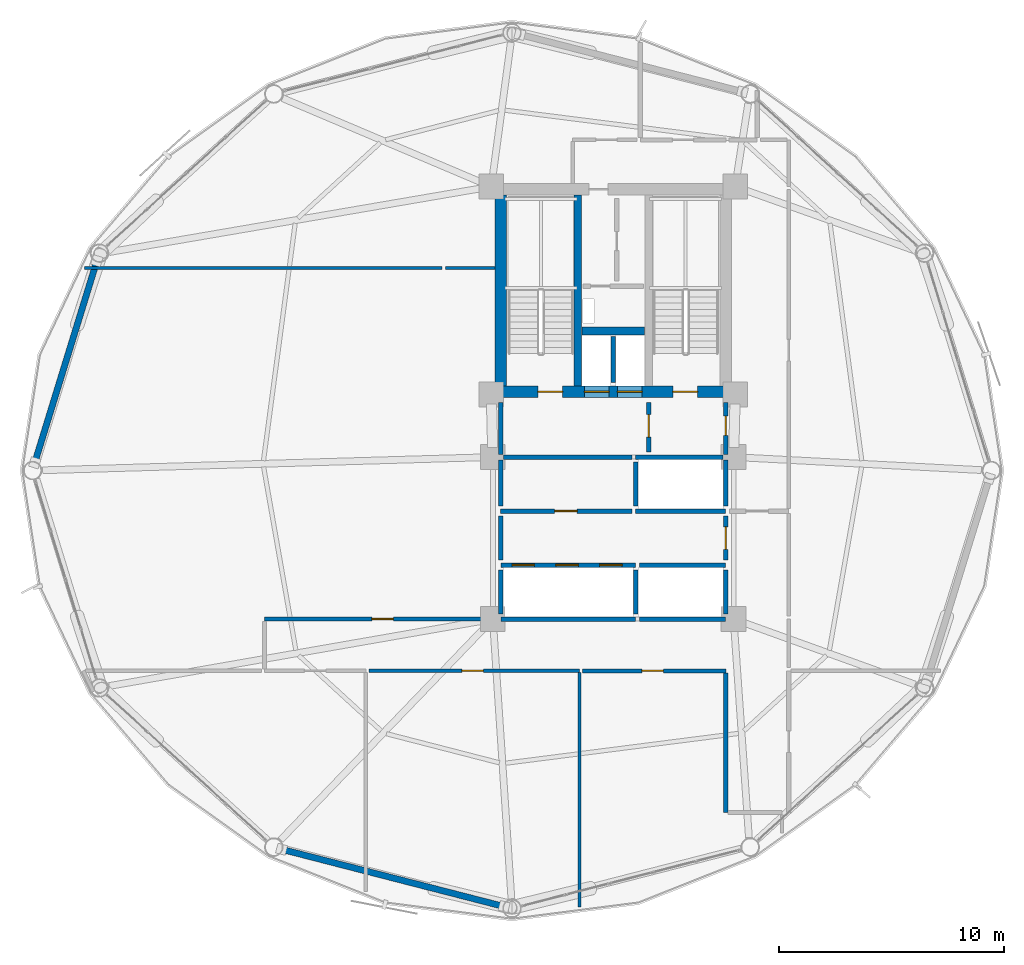
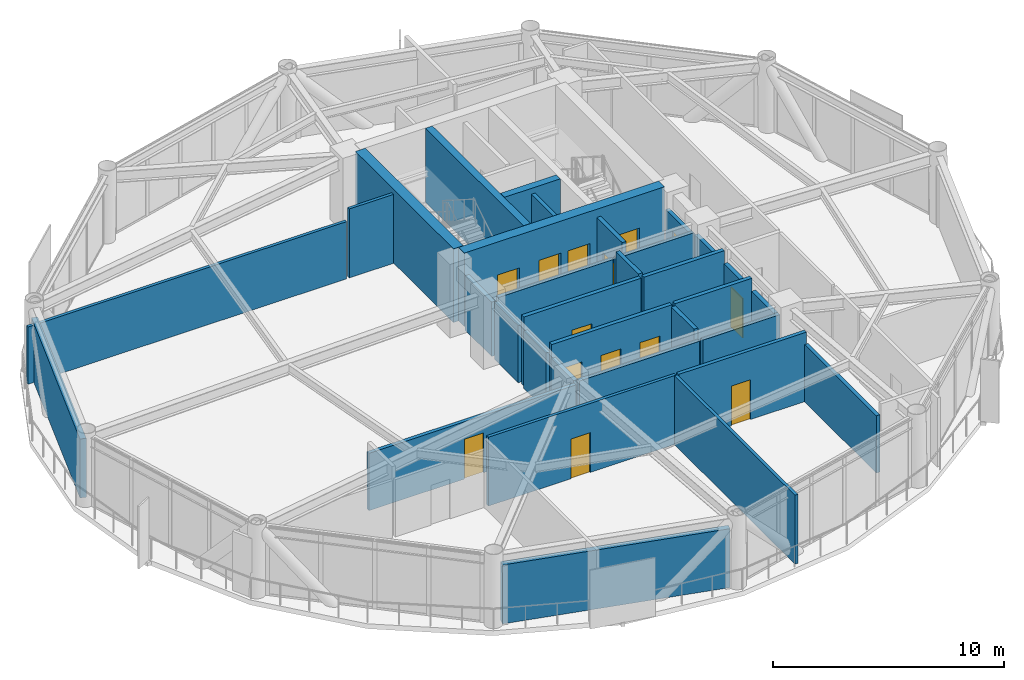
# One storey, part 20 of 24: 33 walls, 14 doors, 14 openings.
"""IFC4 building model written with IfcOpenShell, lengths in metres."""

import ifcopenshell
import ifcopenshell.guid

model = None  # the IFC model being written
_history = None  # IfcOwnerHistory: only IFC2X3 demands one
_inside = {}  # id of a spatial element -> (the spatial element, [elements in it])
_under = {}  # id of a project, library or spatial element -> (it, [spatial elements below it])
_declared = {}  # id of a project -> (the project, [libraries it declares])
_typed = {}  # id of a type object -> (the type object, [elements of that type])
_made_of = {}  # id of a material, layer set ... -> (it, [elements and type objects made of it])


def new_model(schema):
    """Start an empty IFC model of exactly this schema.

    Asked for "IFC4X3", IfcOpenShell would pick the latest addendum, in which some entities
    have other attributes; the version numbers below select the first issue.
    IFC2X3 requires an IfcOwnerHistory on every rooted entity: one is made here for all.
    """
    global model, _history
    if schema == "IFC4X3":
        model = ifcopenshell.file(schema_version=(4, 3, 0, 0))
    else:
        model = ifcopenshell.file(schema=schema)
    _inside.clear()
    _under.clear()
    _declared.clear()
    _typed.clear()
    _made_of.clear()
    _history = None
    if model.schema == "IFC2X3":
        org = make("IfcOrganization", Name="unknown")
        user = make(
            "IfcPersonAndOrganization",
            ThePerson=make("IfcPerson", FamilyName="unknown"),
            TheOrganization=org,
        )
        app = make(
            "IfcApplication",
            ApplicationDeveloper=org,
            Version="unknown",
            ApplicationFullName="unknown",
            ApplicationIdentifier="unknown",
        )
        _history = make(
            "IfcOwnerHistory",
            OwningUser=user,
            OwningApplication=app,
            ChangeAction="ADDED",
            CreationDate=0,
        )
    return model


def make(cls, **values):
    """One entity of the class cls with the attributes given. An attribute that is None is left unset."""
    return model.create_entity(
        cls, **{name: value for name, value in values.items() if value is not None}
    )


def rooted(cls, **values):
    """An entity with a GlobalId (a new one), such as an element, a storey or a relation."""
    return make(cls, GlobalId=ifcopenshell.guid.new(), OwnerHistory=_history, **values)


def si_unit(unit_type, name, prefix=None):
    """IfcSIUnit, for example si_unit("LENGTHUNIT", "METRE", prefix="MILLI")."""
    return make("IfcSIUnit", UnitType=unit_type, Prefix=prefix, Name=name)


def assignment(units):
    """IfcUnitAssignment: the units of a project."""
    return None if units is None else make("IfcUnitAssignment", Units=units)


def point(xyz):
    """IfcCartesianPoint."""
    return None if xyz is None else make("IfcCartesianPoint", Coordinates=xyz)


def direction(xyz):
    """IfcDirection."""
    return None if xyz is None else make("IfcDirection", DirectionRatios=xyz)


def frame(location, z_axis=None, x_axis=None):
    """IfcAxis2Placement3D, a coordinate frame: its origin and axes. An axis left out is left unset."""
    return make(
        "IfcAxis2Placement3D",
        Location=point(location),
        Axis=direction(z_axis),
        RefDirection=direction(x_axis),
    )


def frame_2d(location, x_axis=None):
    """IfcAxis2Placement2D, a coordinate frame in the plane: its origin and x axis."""
    return make(
        "IfcAxis2Placement2D", Location=point(location), RefDirection=direction(x_axis)
    )


def origin():
    """The frame at (0, 0, 0) with its axes left unset."""
    return frame((0.0, 0.0, 0.0))


def place(relative_to, where):
    """IfcLocalPlacement: puts the frame where relative to a parent placement (None: the world)."""
    return make(
        "IfcLocalPlacement", PlacementRelTo=relative_to, RelativePlacement=where
    )


def context(
    kind, dimensions, precision=None, world=None, true_north=None, identifier=None
):
    """IfcGeometricRepresentationContext, for example the 3D "Model" context."""
    return make(
        "IfcGeometricRepresentationContext",
        ContextIdentifier=identifier,
        ContextType=kind,
        CoordinateSpaceDimension=dimensions,
        Precision=precision,
        WorldCoordinateSystem=world,
        TrueNorth=true_north,
    )


def subcontext(parent, identifier, kind, view, scale=None):
    """IfcGeometricRepresentationSubContext, for example "Body" below "Model"."""
    return make(
        "IfcGeometricRepresentationSubContext",
        ContextIdentifier=identifier,
        ContextType=kind,
        ParentContext=parent,
        TargetScale=scale,
        TargetView=view,
    )


def project(units=None, contexts=None):
    """IfcProject with its units and contexts."""
    return rooted(
        "IfcProject",
        Name="project",
        RepresentationContexts=contexts,
        UnitsInContext=assignment(units),
    )


def spatial(cls, under=None, at=None, **own):
    """A site, building, storey or space (cls), placed at a placement, below another one or the project."""
    s = rooted(cls, ObjectPlacement=at, **own)
    if under is not None:
        _under.setdefault(under.id(), (under, []))[1].append(s)
    return s


def profile(cls, at=None, kind="AREA", **sizes):
    """A parametric profile (cls). Its sizes go by their IFC names, for example OverallWidth=200.0."""
    return make(cls, ProfileType=kind, Position=at, **sizes)


def rectangle(**sizes):
    """IfcRectangleProfileDef."""
    return profile("IfcRectangleProfileDef", **sizes)


def extrude(swept, where, along, depth):
    """IfcExtrudedAreaSolid: the profile swept, set in the frame where, extruded along a direction by depth."""
    return make(
        "IfcExtrudedAreaSolid",
        SweptArea=swept,
        Position=where,
        ExtrudedDirection=direction(along),
        Depth=depth,
    )


def shape(context_of_items, identifier, shape_type, items):
    """IfcShapeRepresentation: the items that make up one representation, for example the "Body"."""
    return make(
        "IfcShapeRepresentation",
        ContextOfItems=context_of_items,
        RepresentationIdentifier=identifier,
        RepresentationType=shape_type,
        Items=items,
    )


def material(Name=None, Category=None):
    """IfcMaterial."""
    return make("IfcMaterial", Name=Name, Category=Category)


def layer(
    of_material, thickness, ventilated=None, Name=None, Category=None, Priority=None
):
    """IfcMaterialLayer: one layer of a wall or slab, of a material (None: an air gap)."""
    return make(
        "IfcMaterialLayer",
        Material=of_material,
        LayerThickness=thickness,
        IsVentilated=ventilated,
        Name=Name,
        Category=Category,
        Priority=Priority,
    )


def layer_set(layers, Name=None):
    """IfcMaterialLayerSet."""
    return make("IfcMaterialLayerSet", MaterialLayers=layers, LayerSetName=Name)


def made_of(thing, what):
    """Note that an element or type object is made of a material, layer set ...; save() writes the relation."""
    if what is not None:
        _made_of.setdefault(what.id(), (what, []))[1].append(thing)
    return thing


def type_object(cls, material=None, **own):
    """A type object (cls), such as IfcWallType, which elements share."""
    return made_of(rooted(cls, **own), material)


def element(
    cls,
    number,
    at=None,
    inside=None,
    cuts=None,
    type_object=None,
    material=None,
    context=None,
    identifier="Body",
    shape_type=None,
    held_by="IfcProductDefinitionShape",
    body=None,
    shapes=None,
    **own,
):
    """One element of the class cls, such as IfcWall. Its Tag is "e" and its number.

    at: its placement. inside: the storey or other place that contains it. cuts: it is an
    opening in that element (IfcRelVoidsElement). A single representation is given by context,
    identifier, shape_type and body (its items); several are given by shapes. held_by: the class
    of the entity that holds the representations. save() writes the other relations.
    """
    e = rooted(cls, Tag="e%d" % number, ObjectPlacement=at, **own)
    if body is not None:
        shapes = [shape(context, identifier, shape_type, body)]
    if shapes is not None:
        e.Representation = make(held_by, Representations=shapes)
    if inside is not None:
        _inside.setdefault(inside.id(), (inside, []))[1].append(e)
    if cuts is not None:
        rooted(
            "IfcRelVoidsElement", RelatingBuildingElement=cuts, RelatedOpeningElement=e
        )
    if type_object is not None:
        _typed.setdefault(type_object.id(), (type_object, []))[1].append(e)
    return made_of(e, material)


def fill(opening, filler):
    """IfcRelFillsElement: the door or window that sits in an opening."""
    return rooted(
        "IfcRelFillsElement",
        RelatingOpeningElement=opening,
        RelatedBuildingElement=filler,
    )


def aggregate(whole, parts):
    """IfcRelAggregates: a whole, such as a stair, and the parts it consists of."""
    return rooted("IfcRelAggregates", RelatingObject=whole, RelatedObjects=parts)


def save(model, path):
    """Write the relations noted so far, then the file.

    IfcRelAggregates (storeys below a building ...), IfcRelContainedInSpatialStructure (elements
    in a storey), IfcRelDefinesByType, IfcRelAssociatesMaterial and IfcRelDeclares: one each for
    every whole, place, type object, material and project.
    """
    for whole, parts in _under.values():
        aggregate(whole, parts)
    for where, things in _inside.values():
        rooted(
            "IfcRelContainedInSpatialStructure",
            RelatedElements=things,
            RelatingStructure=where,
        )
    for kind, things in _typed.values():
        rooted("IfcRelDefinesByType", RelatedObjects=things, RelatingType=kind)
    for what, things in _made_of.values():
        rooted("IfcRelAssociatesMaterial", RelatedObjects=things, RelatingMaterial=what)
    for by, libraries in _declared.values():
        rooted("IfcRelDeclares", RelatingContext=by, RelatedDefinitions=libraries)
    model.write(path)


model = new_model("IFC4")

# Units and contexts
model_context = context("Model", 3, precision=1e-05, world=origin(), true_north=direction((0.0, 1.0)))
body_context = subcontext(model_context, "Body", "Model", "MODEL_VIEW")
ifc_project = project(units=[si_unit("LENGTHUNIT", "METRE"), si_unit("AREAUNIT", "SQUARE_METRE"), si_unit("VOLUMEUNIT", "CUBIC_METRE"), si_unit("PLANEANGLEUNIT", "RADIAN"), si_unit("MASSUNIT", "GRAM", prefix="KILO")], contexts=[model_context])

# Site, building, storey
site_placement = place(None, origin())
site = spatial("IfcSite", under=ifc_project, at=site_placement, CompositionType="ELEMENT")
building_placement = place(site_placement, origin())
building = spatial("IfcBuilding", under=site, at=building_placement, Name="Varnakorn Sky Granary", CompositionType="ELEMENT")
storey_placement = place(building_placement, frame((0.0, 0.0, 118.800048828125)))
storey = spatial("IfcBuildingStorey", under=building, at=storey_placement, Name="L29", CompositionType="ELEMENT", Elevation=118.800048828125)

# Walls
ifc_material_1 = material(Name="Concrete C50/60", Category="concrete")
ifc_layer_1 = layer(ifc_material_1, 0.35009765625, Name="Concrete C50/60")
ifc_layer_set_1 = layer_set([ifc_layer_1], Name="Concrete C50/60")
wall_type_1 = type_object("IfcWallType", Name="WT-CW-INT-350", PredefinedType="SHEAR", material=ifc_layer_set_1)
wall_1_placement = place(storey_placement, frame((1.419921875, 3.760009765625, 0.0), z_axis=(0.0, 0.0, 1.0), x_axis=(0.0, 1.0, 0.0)))
element("IfcWall", 1, at=wall_1_placement, inside=storey, type_object=wall_type_1, Name="Stair ST-1 Core Wall L29", PredefinedType="SHEAR", context=body_context, shape_type="SweptSolid", body=[
    extrude(rectangle(XDim=8.47998046875, YDim=0.35009765625, at=frame_2d((4.239990234375, 0.0))), origin(), (0.0, 0.0, 1.0), 3.891845703125),
])
wall_2_placement = place(storey_placement, frame((1.610107421875, 6.199951171875, 0.0), z_axis=(0.0, 0.0, 1.0), x_axis=(1.0, 0.0, 0.0)))
element("IfcWall", 2, at=wall_2_placement, inside=storey, type_object=wall_type_1, Name="Core Lift Shaft Cross Wall L29", PredefinedType="SHEAR", context=body_context, shape_type="SweptSolid", body=[
    extrude(rectangle(XDim=2.77978515625, YDim=0.35009765625, at=frame_2d((1.389892578125, 0.0))), origin(), (0.0, 0.0, 1.0), 3.891845703125),
])

# Wall, openings, doors
ifc_material_2 = material(Name="Concrete C60/75", Category="concrete")
ifc_layer_2 = layer(ifc_material_2, 0.5, Name="Concrete C60/75")
ifc_layer_set_2 = layer_set([ifc_layer_2], Name="Concrete C60/75")
wall_type_2 = type_object("IfcWallType", Name="WT-CW-SHEAR-500", PredefinedType="SHEAR", material=ifc_layer_set_2)
wall_3_placement = place(storey_placement, frame((-2.0, 3.5, 0.0), z_axis=(0.0, 0.0, 1.0), x_axis=(1.0, 0.0, 0.0)))
wall_3 = element("IfcWall", 3, at=wall_3_placement, inside=storey, type_object=wall_type_2, Name="Core South Shear Wall L29", PredefinedType="SHEAR", context=body_context, shape_type="SweptSolid", body=[
    extrude(rectangle(XDim=10.0, YDim=0.5, at=frame_2d((5.0, 0.0))), origin(), (0.0, 0.0, 1.0), 3.891845703125),
])
opening_1_placement = place(wall_3_placement, frame((1.64990234375, 0.0, 0.0)))
opening_1 = element("IfcOpeningElement", 4, at=opening_1_placement, cuts=wall_3, Name="Opening FD-90", PredefinedType="OPENING", context=body_context, shape_type="SweptSolid", body=[
    extrude(rectangle(XDim=1.10009765625, YDim=2.14990234375, at=frame_2d((0.550048828125, 1.074951171875))), frame((0.0, 0.260009765625, 0.0), z_axis=(0.0, -1.0, 0.0), x_axis=(1.0, 0.0, 0.0)), (0.0, 0.0, 1.0), 0.52001953125),
])
opening_2_placement = place(wall_3_placement, frame((7.64990234375, 0.0, 0.0)))
opening_2 = element("IfcOpeningElement", 5, at=opening_2_placement, cuts=wall_3, Name="Opening FD-90", PredefinedType="OPENING", context=body_context, shape_type="SweptSolid", body=[
    extrude(rectangle(XDim=1.10009765625, YDim=2.14990234375, at=frame_2d((0.550048828125, 1.074951171875))), frame((0.0, 0.260009765625, 0.0), z_axis=(0.0, -1.0, 0.0), x_axis=(1.0, 0.0, 0.0)), (0.0, 0.0, 1.0), 0.52001953125),
])
opening_3_placement = place(wall_3_placement, frame((3.719970703125, 0.0, 0.0)))
opening_3 = element("IfcOpeningElement", 6, at=opening_3_placement, cuts=wall_3, Name="Opening LD-01", PredefinedType="OPENING", context=body_context, shape_type="SweptSolid", body=[
    extrude(rectangle(XDim=1.10009765625, YDim=2.199951171875, at=frame_2d((0.550048828125, 1.10009765625))), frame((0.0, 0.260009765625, 0.0), z_axis=(0.0, -1.0, 0.0), x_axis=(1.0, 0.0, 0.0)), (0.0, 0.0, 1.0), 0.52001953125),
])
opening_4_placement = place(wall_3_placement, frame((5.179931640625, 0.0, 0.0)))
opening_4 = element("IfcOpeningElement", 7, at=opening_4_placement, cuts=wall_3, Name="Opening LD-01", PredefinedType="OPENING", context=body_context, shape_type="SweptSolid", body=[
    extrude(rectangle(XDim=1.10009765625, YDim=2.199951171875, at=frame_2d((0.550048828125, 1.10009765625))), frame((0.0, 0.260009765625, 0.0), z_axis=(0.0, -1.0, 0.0), x_axis=(1.0, 0.0, 0.0)), (0.0, 0.0, 1.0), 0.52001953125),
])
ifc_material_3 = material(Name="Brushed Bronze Stainless Steel", Category="steel")
door_type_1 = type_object("IfcDoorType", Name="DR-LD-1100", OperationType="DOUBLE_DOOR_SLIDING", PredefinedType="DOOR", material=ifc_material_3)
door_1_placement = place(opening_3_placement, origin())
door_1 = element("IfcDoor", 8, at=door_1_placement, inside=storey, type_object=door_type_1, Name="Firefighting Lift FFL-1 Landing Door L29", OperationType="DOUBLE_DOOR_SLIDING", OverallHeight=2.199951171875, OverallWidth=1.10009765625, PredefinedType="DOOR", context=body_context, shape_type="SweptSolid", body=[
    extrude(rectangle(XDim=1.10009765625, YDim=2.199951171875, at=frame_2d((0.550048828125, 1.10009765625))), frame((0.0, 0.02490234375, 0.0), z_axis=(0.0, -1.0, 0.0), x_axis=(1.0, 0.0, 0.0)), (0.0, 0.0, 1.0), 0.050048828125),
])
fill(opening_3, door_1)
door_2_placement = place(opening_4_placement, origin())
door_2 = element("IfcDoor", 9, at=door_2_placement, inside=storey, type_object=door_type_1, Name="Firefighting Lift FFL-2 Landing Door L29", OperationType="DOUBLE_DOOR_SLIDING", OverallHeight=2.199951171875, OverallWidth=1.10009765625, PredefinedType="DOOR", context=body_context, shape_type="SweptSolid", body=[
    extrude(rectangle(XDim=1.10009765625, YDim=2.199951171875, at=frame_2d((0.550048828125, 1.10009765625))), frame((0.0, 0.02490234375, 0.0), z_axis=(0.0, -1.0, 0.0), x_axis=(1.0, 0.0, 0.0)), (0.0, 0.0, 1.0), 0.050048828125),
])
fill(opening_4, door_2)
ifc_material_4 = material(Name="Galvanised Painted Steel Leaf", Category="steel")
door_type_2 = type_object("IfcDoorType", Name="DR-STAIR-1100", OperationType="NOTDEFINED", PredefinedType="DOOR", material=ifc_material_4)
door_3_placement = place(opening_1_placement, origin())
door_3 = element("IfcDoor", 10, at=door_3_placement, inside=storey, type_object=door_type_2, Name="Stair ST-1 Protected Fire Door L29", OperationType="SINGLE_SWING_LEFT", OverallHeight=2.14990234375, OverallWidth=1.10009765625, PredefinedType="DOOR", context=body_context, shape_type="SweptSolid", body=[
    extrude(rectangle(XDim=1.10009765625, YDim=2.14990234375, at=frame_2d((0.550048828125, 1.074951171875))), frame((0.0, 0.02490234375, 0.0), z_axis=(0.0, -1.0, 0.0), x_axis=(1.0, 0.0, 0.0)), (0.0, 0.0, 1.0), 0.050048828125),
])
fill(opening_1, door_3)
door_4_placement = place(opening_2_placement, origin())
door_4 = element("IfcDoor", 11, at=door_4_placement, inside=storey, type_object=door_type_2, Name="Stair ST-2 Protected Fire Door L29", OperationType="SINGLE_SWING_RIGHT", OverallHeight=2.14990234375, OverallWidth=1.10009765625, PredefinedType="DOOR", context=body_context, shape_type="SweptSolid", body=[
    extrude(rectangle(XDim=1.10009765625, YDim=2.14990234375, at=frame_2d((0.550048828125, 1.074951171875))), frame((0.0, 0.02490234375, 0.0), z_axis=(0.0, -1.0, 0.0), x_axis=(1.0, 0.0, 0.0)), (0.0, 0.0, 1.0), 0.050048828125),
])
fill(opening_2, door_4)

# Walls
wall_4_placement = place(storey_placement, frame((-2.0, 3.760009765625, 0.0), z_axis=(0.0, 0.0, 1.0), x_axis=(0.0, 1.0, 0.0)))
element("IfcWall", 12, at=wall_4_placement, inside=storey, type_object=wall_type_2, Name="Core West Shear Wall L29", PredefinedType="SHEAR", context=body_context, shape_type="SweptSolid", body=[
    extrude(rectangle(XDim=8.47998046875, YDim=0.5, at=frame_2d((4.239990234375, 0.0))), origin(), (0.0, 0.0, 1.0), 3.891845703125),
])
ifc_material_5 = material(Name="Precast concrete C40/50", Category="concrete")
ifc_layer_3 = layer(ifc_material_5, 0.280029296875, Name="Precast concrete C40/50")
ifc_layer_set_3 = layer_set([ifc_layer_3], Name="Precast concrete C40/50")
wall_type_3 = type_object("IfcWallType", Name="WT-EW-CRN-280", PredefinedType="SOLIDWALL", material=ifc_layer_set_3)
wall_5_placement = place(storey_placement, frame((-22.710693359375, 0.345458984375, 0.0), z_axis=(0.0, 0.0, 1.0), x_axis=(0.293928735114, 0.955827337271, 0.0)))
element("IfcWall", 13, at=wall_5_placement, inside=storey, type_object=wall_type_3, Name="Agritech Insulated Precast Facade Wall L29-P06", PredefinedType="SOLIDWALL", context=body_context, shape_type="SweptSolid", body=[
    extrude(rectangle(XDim=9.390869140625, YDim=0.280029296875, at=frame_2d((4.6953125, 0.0))), origin(), (0.0, 0.0, 1.0), 3.10986328125),
])
wall_6_placement = place(storey_placement, frame((-1.85009765625, -19.37890625, 0.0), z_axis=(0.0, 0.0, 1.0), x_axis=(-0.968450417212, 0.249206318945, 0.0)))
element("IfcWall", 14, at=wall_6_placement, inside=storey, type_object=wall_type_3, Name="Agritech Insulated Precast Facade Wall L29-P09", PredefinedType="SOLIDWALL", context=body_context, shape_type="SweptSolid", body=[
    extrude(rectangle(XDim=10.213134765625, YDim=0.280029296875, at=frame_2d((5.1064453125, 0.0))), origin(), (0.0, 0.0, 1.0), 3.10986328125),
])

# Wall, opening, door
ifc_material_6 = material(Name="Autoclaved Aerated Concrete Blockwork", Category="masonry")
ifc_layer_4 = layer(ifc_material_6, 0.199951171875, Name="Autoclaved Aerated Concrete Blockwork")
ifc_layer_set_4 = layer_set([ifc_layer_4], Name="Autoclaved Aerated Concrete Blockwork")
wall_type_4 = type_object("IfcWallType", Name="WT-FIRE-200", PredefinedType="MOVABLE", material=ifc_layer_set_4)
wall_7_placement = place(storey_placement, frame((4.580078125, 0.830078125, 0.0), z_axis=(0.0, 0.0, 1.0), x_axis=(0.0, 1.0, 0.0)))
wall_7 = element("IfcWall", 15, at=wall_7_placement, inside=storey, type_object=wall_type_4, Name="Interior Partition Wall L29-015", PredefinedType="MOVABLE", context=body_context, shape_type="SweptSolid", body=[
    extrude(rectangle(XDim=2.18994140625, YDim=0.199951171875, at=frame_2d((1.094970703125, 0.0))), origin(), (0.0, 0.0, 1.0), 3.639892578125),
])
opening_5_placement = place(wall_7_placement, frame((0.659912109375, 0.0, 0.0)))
opening_5 = element("IfcOpeningElement", 16, at=opening_5_placement, cuts=wall_7, Name="Opening FD-60", PredefinedType="OPENING", context=body_context, shape_type="SweptSolid", body=[
    extrude(rectangle(XDim=1.0, YDim=2.10009765625, at=frame_2d((0.5, 1.050048828125))), frame((0.0, 0.10986328125, 0.0), z_axis=(0.0, -1.0, 0.0), x_axis=(1.0, 0.0, 0.0)), (0.0, 0.0, 1.0), 0.219970703125),
])
ifc_material_7 = material(Name="Acoustic Timber Fire Leaf", Category="wood")
door_type_3 = type_object("IfcDoorType", Name="DR-FD60-1000", OperationType="NOTDEFINED", PredefinedType="DOOR", material=ifc_material_7)
door_5_placement = place(opening_5_placement, origin())
door_5 = element("IfcDoor", 17, at=door_5_placement, inside=storey, type_object=door_type_3, Name="Interior Door L29-015-1", OperationType="SINGLE_SWING_RIGHT", OverallHeight=2.10009765625, OverallWidth=1.0, PredefinedType="DOOR", context=body_context, shape_type="SweptSolid", body=[
    extrude(rectangle(XDim=1.0, YDim=2.10009765625, at=frame_2d((0.5, 1.050048828125))), frame((0.0, 0.02490234375, 0.0), z_axis=(0.0, -1.0, 0.0), x_axis=(1.0, 0.0, 0.0)), (0.0, 0.0, 1.0), 0.050048828125),
])
fill(opening_5, door_5)

wall_8_placement = place(storey_placement, frame((8.0, 0.719970703125, 0.0), z_axis=(0.0, 0.0, 1.0), x_axis=(0.0, 1.0, 0.0)))
wall_8 = element("IfcWall", 18, at=wall_8_placement, inside=storey, type_object=wall_type_4, Name="Interior Partition Wall L29-016", PredefinedType="MOVABLE", context=body_context, shape_type="SweptSolid", body=[
    extrude(rectangle(XDim=2.300048828125, YDim=0.199951171875, at=frame_2d((1.14990234375, 0.0))), origin(), (0.0, 0.0, 1.0), 2.8720703125),
])
opening_6_placement = place(wall_8_placement, frame((0.844970703125, 0.0, 0.0)))
opening_6 = element("IfcOpeningElement", 19, at=opening_6_placement, cuts=wall_8, Name="Opening FD-60N", PredefinedType="OPENING", context=body_context, shape_type="SweptSolid", body=[
    extrude(rectangle(XDim=0.85009765625, YDim=2.10009765625, at=frame_2d((0.425048828125, 1.050048828125))), frame((0.0, 0.10986328125, 0.0), z_axis=(0.0, -1.0, 0.0), x_axis=(1.0, 0.0, 0.0)), (0.0, 0.0, 1.0), 0.219970703125),
])
door_type_4 = type_object("IfcDoorType", Name="DR-FD60-850", OperationType="NOTDEFINED", PredefinedType="DOOR", material=ifc_material_7)
door_6_placement = place(opening_6_placement, origin())
door_6 = element("IfcDoor", 20, at=door_6_placement, inside=storey, type_object=door_type_4, Name="Interior Door L29-016-1", OperationType="SINGLE_SWING_LEFT", OverallHeight=2.10009765625, OverallWidth=0.85009765625, PredefinedType="DOOR", context=body_context, shape_type="SweptSolid", body=[
    extrude(rectangle(XDim=0.85009765625, YDim=2.10009765625, at=frame_2d((0.425048828125, 1.050048828125))), frame((0.0, 0.02490234375, 0.0), z_axis=(0.0, -1.0, 0.0), x_axis=(1.0, 0.0, 0.0)), (0.0, 0.0, 1.0), 0.050048828125),
])
fill(opening_6, door_6)

wall_9_placement = place(storey_placement, frame((8.0, -3.969970703125, 0.0), z_axis=(0.0, 0.0, 1.0), x_axis=(0.0, 1.0, 0.0)))
wall_9 = element("IfcWall", 21, at=wall_9_placement, inside=storey, type_object=wall_type_4, Name="Interior Partition Wall L29-017", PredefinedType="MOVABLE", context=body_context, shape_type="SweptSolid", body=[
    extrude(rectangle(XDim=1.93994140625, YDim=0.199951171875, at=frame_2d((0.969970703125, 0.0))), origin(), (0.0, 0.0, 1.0), 3.072021484375),
])
opening_7_placement = place(wall_9_placement, frame((0.469970703125, 0.0, 0.0)))
opening_7 = element("IfcOpeningElement", 22, at=opening_7_placement, cuts=wall_9, Name="Opening FD-60", PredefinedType="OPENING", context=body_context, shape_type="SweptSolid", body=[
    extrude(rectangle(XDim=1.0, YDim=2.10009765625, at=frame_2d((0.5, 1.050048828125))), frame((0.0, 0.10986328125, 0.0), z_axis=(0.0, -1.0, 0.0), x_axis=(1.0, 0.0, 0.0)), (0.0, 0.0, 1.0), 0.219970703125),
])
door_7_placement = place(opening_7_placement, origin())
door_7 = element("IfcDoor", 23, at=door_7_placement, inside=storey, type_object=door_type_3, Name="Interior Door L29-017-1", OperationType="SINGLE_SWING_RIGHT", OverallHeight=2.10009765625, OverallWidth=1.0, PredefinedType="DOOR", context=body_context, shape_type="SweptSolid", body=[
    extrude(rectangle(XDim=1.0, YDim=2.10009765625, at=frame_2d((0.5, 1.050048828125))), frame((0.0, 0.02490234375, 0.0), z_axis=(0.0, -1.0, 0.0), x_axis=(1.0, 0.0, 0.0)), (0.0, 0.0, 1.0), 0.050048828125),
])
fill(opening_7, door_7)

wall_10_placement = place(storey_placement, frame((-2.0, -1.800048828125, 0.0), z_axis=(0.0, 0.0, 1.0), x_axis=(1.0, 0.0, 0.0)))
wall_10 = element("IfcWall", 24, at=wall_10_placement, inside=storey, type_object=wall_type_4, Name="Interior Partition Wall L29-018", PredefinedType="MOVABLE", context=body_context, shape_type="SweptSolid", body=[
    extrude(rectangle(XDim=5.840087890625, YDim=0.199951171875, at=frame_2d((2.919921875, 0.0))), origin(), (0.0, 0.0, 1.0), 3.639892578125),
])
opening_8_placement = place(wall_10_placement, frame((2.39990234375, 0.0, 0.0)))
opening_8 = element("IfcOpeningElement", 25, at=opening_8_placement, cuts=wall_10, Name="Opening FD-60", PredefinedType="OPENING", context=body_context, shape_type="SweptSolid", body=[
    extrude(rectangle(XDim=1.0, YDim=2.10009765625, at=frame_2d((0.5, 1.050048828125))), frame((0.0, 0.10986328125, 0.0), z_axis=(0.0, -1.0, 0.0), x_axis=(1.0, 0.0, 0.0)), (0.0, 0.0, 1.0), 0.219970703125),
])
door_8_placement = place(opening_8_placement, origin())
door_8 = element("IfcDoor", 26, at=door_8_placement, inside=storey, type_object=door_type_3, Name="Interior Door L29-018-1", OperationType="SINGLE_SWING_LEFT", OverallHeight=2.10009765625, OverallWidth=1.0, PredefinedType="DOOR", context=body_context, shape_type="SweptSolid", body=[
    extrude(rectangle(XDim=1.0, YDim=2.10009765625, at=frame_2d((0.5, 1.050048828125))), frame((0.0, 0.02490234375, 0.0), z_axis=(0.0, -1.0, 0.0), x_axis=(1.0, 0.0, 0.0)), (0.0, 0.0, 1.0), 0.050048828125),
])
fill(opening_8, door_8)

# Walls
wall_11_placement = place(storey_placement, frame((-1.8798828125, 0.60009765625, 0.0), z_axis=(0.0, 0.0, 1.0), x_axis=(1.0, 0.0, 0.0)))
element("IfcWall", 27, at=wall_11_placement, inside=storey, type_object=wall_type_4, Name="Interior Partition Wall L29-028", PredefinedType="MOVABLE", context=body_context, shape_type="SweptSolid", body=[
    extrude(rectangle(XDim=5.719970703125, YDim=0.199951171875, at=frame_2d((2.85986328125, 0.0))), origin(), (0.0, 0.0, 1.0), 3.171875),
])
wall_12_placement = place(storey_placement, frame((-2.0, 0.719970703125, 0.0), z_axis=(0.0, 0.0, 1.0), x_axis=(0.0, 1.0, 0.0)))
element("IfcWall", 28, at=wall_12_placement, inside=storey, type_object=wall_type_4, Name="Interior Partition Wall L29-029", PredefinedType="MOVABLE", context=body_context, shape_type="SweptSolid", body=[
    extrude(rectangle(XDim=2.300048828125, YDim=0.199951171875, at=frame_2d((1.14990234375, 0.0))), origin(), (0.0, 0.0, 1.0), 2.8720703125),
])
wall_13_placement = place(storey_placement, frame((-2.0, -3.969970703125, 0.0), z_axis=(0.0, 0.0, 1.0), x_axis=(0.0, 1.0, 0.0)))
element("IfcWall", 29, at=wall_13_placement, inside=storey, type_object=wall_type_4, Name="Interior Partition Wall L29-030", PredefinedType="MOVABLE", context=body_context, shape_type="SweptSolid", body=[
    extrude(rectangle(XDim=1.93994140625, YDim=0.199951171875, at=frame_2d((0.969970703125, 0.0))), origin(), (0.0, 0.0, 1.0), 3.02197265625),
])
wall_14_placement = place(storey_placement, frame((-2.0, -1.570068359375, 0.0), z_axis=(0.0, 0.0, 1.0), x_axis=(0.0, 1.0, 0.0)))
element("IfcWall", 30, at=wall_14_placement, inside=storey, type_object=wall_type_4, Name="Interior Partition Wall L29-031", PredefinedType="MOVABLE", context=body_context, shape_type="SweptSolid", body=[
    extrude(rectangle(XDim=2.050048828125, YDim=0.199951171875, at=frame_2d((1.02490234375, 0.0))), origin(), (0.0, 0.0, 1.0), 3.02197265625),
])

# Wall, opening, door
ifc_material_8 = material(Name="Gypsum Plasterboard on Steel Stud", Category="steel")
ifc_layer_5 = layer(ifc_material_8, 0.14990234375, Name="Gypsum Plasterboard on Steel Stud")
ifc_layer_set_5 = layer_set([ifc_layer_5], Name="Gypsum Plasterboard on Steel Stud")
wall_type_5 = type_object("IfcWallType", Name="WT-PART-150", PredefinedType="PARTITIONING", material=ifc_layer_set_5)
wall_15_placement = place(storey_placement, frame((-7.864990234375, -8.89990234375, 0.0), z_axis=(0.0, 0.0, 1.0), x_axis=(1.0, 0.0, 0.0)))
wall_15 = element("IfcWall", 31, at=wall_15_placement, inside=storey, type_object=wall_type_5, Name="Interior Partition Wall L29-022", PredefinedType="PARTITIONING", context=body_context, shape_type="SweptSolid", body=[
    extrude(rectangle(XDim=9.364990234375, YDim=0.14990234375, at=frame_2d((4.6826171875, 0.0))), origin(), (0.0, 0.0, 1.0), 3.639892578125),
])
opening_9_placement = place(wall_15_placement, frame((4.139892578125, 0.0, 0.0)))
opening_9 = element("IfcOpeningElement", 32, at=opening_9_placement, cuts=wall_15, Name="Opening ID-95", PredefinedType="OPENING", context=body_context, shape_type="SweptSolid", body=[
    extrude(rectangle(XDim=0.949951171875, YDim=2.10009765625, at=frame_2d((0.47509765625, 1.050048828125))), frame((0.0, 0.0849609375, 0.0), z_axis=(0.0, -1.0, 0.0), x_axis=(1.0, 0.0, 0.0)), (0.0, 0.0, 1.0), 0.169921875),
])
ifc_material_9 = material(Name="Solid-Core Teak Veneer Leaf", Category="timber")
door_type_5 = type_object("IfcDoorType", Name="DR-INT-950", OperationType="NOTDEFINED", PredefinedType="DOOR", material=ifc_material_9)
door_9_placement = place(opening_9_placement, origin())
door_9 = element("IfcDoor", 33, at=door_9_placement, inside=storey, type_object=door_type_5, Name="Interior Door L29-022-1", OperationType="SINGLE_SWING_LEFT", OverallHeight=2.10009765625, OverallWidth=0.949951171875, PredefinedType="DOOR", context=body_context, shape_type="SweptSolid", body=[
    extrude(rectangle(XDim=0.949951171875, YDim=2.10009765625, at=frame_2d((0.47509765625, 1.050048828125))), frame((0.0, 0.02490234375, 0.0), z_axis=(0.0, -1.0, 0.0), x_axis=(1.0, 0.0, 0.0)), (0.0, 0.0, 1.0), 0.050048828125),
])
fill(opening_9, door_9)

# Walls
wall_16_placement = place(storey_placement, frame((1.5, -8.985107421875, 0.0), z_axis=(0.0, 0.0, 1.0), x_axis=(0.0, -1.0, 0.0)))
element("IfcWall", 34, at=wall_16_placement, inside=storey, type_object=wall_type_5, Name="Interior Partition Wall L29-036", PredefinedType="PARTITIONING", context=body_context, shape_type="SweptSolid", body=[
    extrude(rectangle(XDim=10.408935546875, YDim=0.14990234375, at=frame_2d((5.20458984375, 0.0))), origin(), (0.0, 0.0, 1.0), 3.639892578125),
])
wall_17_placement = place(storey_placement, frame((-20.501953125, 9.0, 0.0), z_axis=(0.0, 0.0, 1.0), x_axis=(1.0, 0.0, 0.0)))
element("IfcWall", 35, at=wall_17_placement, inside=storey, type_object=wall_type_5, Name="Interior Partition Wall L29-042", PredefinedType="PARTITIONING", context=body_context, shape_type="SweptSolid", body=[
    extrude(rectangle(XDim=15.90185546875, YDim=0.14990234375, at=frame_2d((7.950927734375, 0.0))), origin(), (0.0, 0.0, 1.0), 3.02197265625),
])
wall_18_placement = place(storey_placement, frame((-4.465087890625, 9.0, 0.0), z_axis=(0.0, 0.0, 1.0), x_axis=(1.0, 0.0, 0.0)))
element("IfcWall", 36, at=wall_18_placement, inside=storey, type_object=wall_type_5, Name="Interior Partition Wall L29-043", PredefinedType="PARTITIONING", context=body_context, shape_type="SweptSolid", body=[
    extrude(rectangle(XDim=2.205078125, YDim=0.14990234375, at=frame_2d((1.1025390625, 0.0))), origin(), (0.0, 0.0, 1.0), 3.639892578125),
])

# Wall, opening, door
ifc_material_10 = material(Name="Moisture-Resistant Gypsum on Stud", Category="gypsum")
ifc_layer_6 = layer(ifc_material_10, 0.179931640625, Name="Moisture-Resistant Gypsum on Stud")
ifc_layer_set_6 = layer_set([ifc_layer_6], Name="Moisture-Resistant Gypsum on Stud")
wall_type_6 = type_object("IfcWallType", Name="WT-PLUMB-180", PredefinedType="PLUMBINGWALL", material=ifc_layer_set_6)
wall_19_placement = place(storey_placement, frame((1.635009765625, -8.89990234375, 0.0), z_axis=(0.0, 0.0, 1.0), x_axis=(1.0, 0.0, 0.0)))
wall_19 = element("IfcWall", 37, at=wall_19_placement, inside=storey, type_object=wall_type_6, Name="Interior Partition Wall L29-023", PredefinedType="PLUMBINGWALL", context=body_context, shape_type="SweptSolid", body=[
    extrude(rectangle(XDim=6.364990234375, YDim=0.179931640625, at=frame_2d((3.1826171875, 0.0))), origin(), (0.0, 0.0, 1.0), 3.639892578125),
])
opening_10_placement = place(wall_19_placement, frame((2.639892578125, 0.0, 0.0)))
opening_10 = element("IfcOpeningElement", 38, at=opening_10_placement, cuts=wall_19, Name="Opening ID-95", PredefinedType="OPENING", context=body_context, shape_type="SweptSolid", body=[
    extrude(rectangle(XDim=0.949951171875, YDim=2.10009765625, at=frame_2d((0.47509765625, 1.050048828125))), frame((0.0, 0.10009765625, 0.0), z_axis=(0.0, -1.0, 0.0), x_axis=(1.0, 0.0, 0.0)), (0.0, 0.0, 1.0), 0.199951171875),
])
door_10_placement = place(opening_10_placement, origin())
door_10 = element("IfcDoor", 39, at=door_10_placement, inside=storey, type_object=door_type_5, Name="Interior Door L29-023-1", OperationType="SINGLE_SWING_RIGHT", OverallHeight=2.10009765625, OverallWidth=0.949951171875, PredefinedType="DOOR", context=body_context, shape_type="SweptSolid", body=[
    extrude(rectangle(XDim=0.949951171875, YDim=2.10009765625, at=frame_2d((0.47509765625, 1.050048828125))), frame((0.0, 0.02490234375, 0.0), z_axis=(0.0, -1.0, 0.0), x_axis=(1.0, 0.0, 0.0)), (0.0, 0.0, 1.0), 0.050048828125),
])
fill(opening_10, door_10)

wall_20_placement = place(storey_placement, frame((-2.159912109375, -6.60009765625, 0.0), z_axis=(0.0, 0.0, 1.0), x_axis=(-1.0, 0.0, 0.0)))
wall_20 = element("IfcWall", 40, at=wall_20_placement, inside=storey, type_object=wall_type_6, Name="Interior Partition Wall L29-025", PredefinedType="PLUMBINGWALL", context=body_context, shape_type="SweptSolid", body=[
    extrude(rectangle(XDim=10.340087890625, YDim=0.179931640625, at=frame_2d((5.169921875, 0.0))), origin(), (0.0, 0.0, 1.0), 3.02197265625),
])
opening_11_placement = place(wall_20_placement, frame((4.614990234375, 0.0, 0.0)))
opening_11 = element("IfcOpeningElement", 41, at=opening_11_placement, cuts=wall_20, Name="Opening ID-95", PredefinedType="OPENING", context=body_context, shape_type="SweptSolid", body=[
    extrude(rectangle(XDim=0.949951171875, YDim=2.10009765625, at=frame_2d((0.47509765625, 1.050048828125))), frame((0.0, 0.10009765625, 0.0), z_axis=(0.0, -1.0, 0.0), x_axis=(1.0, 0.0, 0.0)), (0.0, 0.0, 1.0), 0.199951171875),
])
door_11_placement = place(opening_11_placement, origin())
door_11 = element("IfcDoor", 42, at=door_11_placement, inside=storey, type_object=door_type_5, Name="Interior Door L29-025-1", OperationType="SINGLE_SWING_RIGHT", OverallHeight=2.10009765625, OverallWidth=0.949951171875, PredefinedType="DOOR", context=body_context, shape_type="SweptSolid", body=[
    extrude(rectangle(XDim=0.949951171875, YDim=2.10009765625, at=frame_2d((0.47509765625, 1.050048828125))), frame((0.0, 0.02490234375, 0.0), z_axis=(0.0, -1.0, 0.0), x_axis=(1.0, 0.0, 0.0)), (0.0, 0.0, 1.0), 0.050048828125),
])
fill(opening_11, door_11)

# Walls
wall_21_placement = place(storey_placement, frame((8.0, -9.0, 0.0), z_axis=(0.0, 0.0, 1.0), x_axis=(0.0, -1.0, 0.0)))
element("IfcWall", 43, at=wall_21_placement, inside=storey, type_object=wall_type_6, Name="Interior Partition Wall L29-037", PredefinedType="PLUMBINGWALL", context=body_context, shape_type="SweptSolid", body=[
    extrude(rectangle(XDim=6.199951171875, YDim=0.179931640625, at=frame_2d((3.10009765625, 0.0))), origin(), (0.0, 0.0, 1.0), 3.02197265625),
])
ifc_layer_7 = layer(ifc_material_6, 0.199951171875, Name="Autoclaved Aerated Concrete Blockwork")
ifc_layer_set_7 = layer_set([ifc_layer_7], Name="Autoclaved Aerated Concrete Blockwork")
wall_type_7 = type_object("IfcWallType", Name="WT-SHAFT-200", PredefinedType="SOLIDWALL", material=ifc_layer_set_7)
wall_22_placement = place(storey_placement, frame((3.0, 3.919921875, 0.0), z_axis=(0.0, 0.0, 1.0), x_axis=(0.0, 1.0, 0.0)))
element("IfcWall", 44, at=wall_22_placement, inside=storey, type_object=wall_type_7, Name="Interior Partition Wall L29-001", PredefinedType="SOLIDWALL", context=body_context, shape_type="SweptSolid", body=[
    extrude(rectangle(XDim=2.030029296875, YDim=0.199951171875, at=frame_2d((1.01513671875, 0.0))), origin(), (0.0, 0.0, 1.0), 3.639892578125),
])
wall_23_placement = place(storey_placement, frame((4.0, 0.60009765625, 0.0), z_axis=(0.0, 0.0, 1.0), x_axis=(1.0, 0.0, 0.0)))
element("IfcWall", 45, at=wall_23_placement, inside=storey, type_object=wall_type_7, Name="Interior Partition Wall L29-002", PredefinedType="SOLIDWALL", context=body_context, shape_type="SweptSolid", body=[
    extrude(rectangle(XDim=3.8798828125, YDim=0.199951171875, at=frame_2d((1.93994140625, 0.0))), origin(), (0.0, 0.0, 1.0), 3.171875),
])
wall_24_placement = place(storey_placement, frame((4.0, -1.800048828125, 0.0), z_axis=(0.0, 0.0, 1.0), x_axis=(1.0, 0.0, 0.0)))
element("IfcWall", 46, at=wall_24_placement, inside=storey, type_object=wall_type_7, Name="Interior Partition Wall L29-003", PredefinedType="SOLIDWALL", context=body_context, shape_type="SweptSolid", body=[
    extrude(rectangle(XDim=4.0, YDim=0.199951171875, at=frame_2d((2.0, 0.0))), origin(), (0.0, 0.0, 1.0), 3.639892578125),
])
wall_25_placement = place(storey_placement, frame((4.0, -1.570068359375, 0.0), z_axis=(0.0, 0.0, 1.0), x_axis=(0.0, 1.0, 0.0)))
element("IfcWall", 47, at=wall_25_placement, inside=storey, type_object=wall_type_7, Name="Interior Partition Wall L29-004", PredefinedType="SOLIDWALL", context=body_context, shape_type="SweptSolid", body=[
    extrude(rectangle(XDim=1.940185546875, YDim=0.199951171875, at=frame_2d((0.97021484375, 0.0))), origin(), (0.0, 0.0, 1.0), 3.639892578125),
])
wall_26_placement = place(storey_placement, frame((8.0, -1.570068359375, 0.0), z_axis=(0.0, 0.0, 1.0), x_axis=(0.0, 1.0, 0.0)))
element("IfcWall", 48, at=wall_26_placement, inside=storey, type_object=wall_type_7, Name="Interior Partition Wall L29-005", PredefinedType="SOLIDWALL", context=body_context, shape_type="SweptSolid", body=[
    extrude(rectangle(XDim=2.050048828125, YDim=0.199951171875, at=frame_2d((1.02490234375, 0.0))), origin(), (0.0, 0.0, 1.0), 3.072021484375),
])

# Wall, openings, doors
wall_27_placement = place(storey_placement, frame((-2.0, -4.199951171875, 0.0), z_axis=(0.0, 0.0, 1.0), x_axis=(1.0, 0.0, 0.0)))
wall_27 = element("IfcWall", 49, at=wall_27_placement, inside=storey, type_object=wall_type_7, Name="Interior Partition Wall L29-006", PredefinedType="SOLIDWALL", context=body_context, shape_type="SweptSolid", body=[
    extrude(rectangle(XDim=6.0, YDim=0.199951171875, at=frame_2d((3.0, 0.0))), origin(), (0.0, 0.0, 1.0), 3.639892578125),
])
opening_12_placement = place(wall_27_placement, frame((0.5, 0.0, 0.0)))
opening_12 = element("IfcOpeningElement", 50, at=opening_12_placement, cuts=wall_27, Name="Opening LD-03", PredefinedType="OPENING", context=body_context, shape_type="SweptSolid", body=[
    extrude(rectangle(XDim=1.0, YDim=2.199951171875, at=frame_2d((0.5, 1.10009765625))), frame((0.0, 0.10986328125, 0.0), z_axis=(0.0, -1.0, 0.0), x_axis=(1.0, 0.0, 0.0)), (0.0, 0.0, 1.0), 0.219970703125),
])
opening_13_placement = place(wall_27_placement, frame((2.449951171875, 0.0, 0.0)))
opening_13 = element("IfcOpeningElement", 51, at=opening_13_placement, cuts=wall_27, Name="Opening LD-03", PredefinedType="OPENING", context=body_context, shape_type="SweptSolid", body=[
    extrude(rectangle(XDim=1.0, YDim=2.199951171875, at=frame_2d((0.5, 1.10009765625))), frame((0.0, 0.10986328125, 0.0), z_axis=(0.0, -1.0, 0.0), x_axis=(1.0, 0.0, 0.0)), (0.0, 0.0, 1.0), 0.219970703125),
])
opening_14_placement = place(wall_27_placement, frame((4.39990234375, 0.0, 0.0)))
opening_14 = element("IfcOpeningElement", 52, at=opening_14_placement, cuts=wall_27, Name="Opening LD-03", PredefinedType="OPENING", context=body_context, shape_type="SweptSolid", body=[
    extrude(rectangle(XDim=1.0, YDim=2.199951171875, at=frame_2d((0.5, 1.10009765625))), frame((0.0, 0.10986328125, 0.0), z_axis=(0.0, -1.0, 0.0), x_axis=(1.0, 0.0, 0.0)), (0.0, 0.0, 1.0), 0.219970703125),
])
door_type_6 = type_object("IfcDoorType", Name="DR-LD-1000", OperationType="DOUBLE_DOOR_SLIDING", PredefinedType="DOOR", material=ifc_material_3)
door_12_placement = place(opening_12_placement, origin())
door_12 = element("IfcDoor", 53, at=door_12_placement, inside=storey, type_object=door_type_6, Name="Passenger Lift PL-M1 Sliding Landing Door L29", OperationType="DOUBLE_DOOR_SLIDING", OverallHeight=2.199951171875, OverallWidth=1.0, PredefinedType="DOOR", context=body_context, shape_type="SweptSolid", body=[
    extrude(rectangle(XDim=1.0, YDim=2.199951171875, at=frame_2d((0.5, 1.10009765625))), frame((0.0, 0.02490234375, 0.0), z_axis=(0.0, -1.0, 0.0), x_axis=(1.0, 0.0, 0.0)), (0.0, 0.0, 1.0), 0.050048828125),
])
fill(opening_12, door_12)
door_13_placement = place(opening_13_placement, origin())
door_13 = element("IfcDoor", 54, at=door_13_placement, inside=storey, type_object=door_type_6, Name="Passenger Lift PL-M2 Sliding Landing Door L29", OperationType="DOUBLE_DOOR_SLIDING", OverallHeight=2.199951171875, OverallWidth=1.0, PredefinedType="DOOR", context=body_context, shape_type="SweptSolid", body=[
    extrude(rectangle(XDim=1.0, YDim=2.199951171875, at=frame_2d((0.5, 1.10009765625))), frame((0.0, 0.02490234375, 0.0), z_axis=(0.0, -1.0, 0.0), x_axis=(1.0, 0.0, 0.0)), (0.0, 0.0, 1.0), 0.050048828125),
])
fill(opening_13, door_13)
door_14_placement = place(opening_14_placement, origin())
door_14 = element("IfcDoor", 55, at=door_14_placement, inside=storey, type_object=door_type_6, Name="Passenger Lift PL-M3 Sliding Landing Door L29", OperationType="DOUBLE_DOOR_SLIDING", OverallHeight=2.199951171875, OverallWidth=1.0, PredefinedType="DOOR", context=body_context, shape_type="SweptSolid", body=[
    extrude(rectangle(XDim=1.0, YDim=2.199951171875, at=frame_2d((0.5, 1.10009765625))), frame((0.0, 0.02490234375, 0.0), z_axis=(0.0, -1.0, 0.0), x_axis=(1.0, 0.0, 0.0)), (0.0, 0.0, 1.0), 0.050048828125),
])
fill(opening_14, door_14)

# Walls
wall_28_placement = place(storey_placement, frame((-2.0, -6.60009765625, 0.0), z_axis=(0.0, 0.0, 1.0), x_axis=(1.0, 0.0, 0.0)))
element("IfcWall", 56, at=wall_28_placement, inside=storey, type_object=wall_type_7, Name="Interior Partition Wall L29-007", PredefinedType="SOLIDWALL", context=body_context, shape_type="SweptSolid", body=[
    extrude(rectangle(XDim=6.0, YDim=0.199951171875, at=frame_2d((3.0, 0.0))), origin(), (0.0, 0.0, 1.0), 3.171875),
])
wall_29_placement = place(storey_placement, frame((-2.0, -6.3701171875, 0.0), z_axis=(0.0, 0.0, 1.0), x_axis=(0.0, 1.0, 0.0)))
element("IfcWall", 57, at=wall_29_placement, inside=storey, type_object=wall_type_7, Name="Interior Partition Wall L29-008", PredefinedType="SOLIDWALL", context=body_context, shape_type="SweptSolid", body=[
    extrude(rectangle(XDim=1.940185546875, YDim=0.199951171875, at=frame_2d((0.97021484375, 0.0))), origin(), (0.0, 0.0, 1.0), 3.02197265625),
])
wall_30_placement = place(storey_placement, frame((4.159912109375, -4.199951171875, 0.0), z_axis=(0.0, 0.0, 1.0), x_axis=(1.0, 0.0, 0.0)))
element("IfcWall", 58, at=wall_30_placement, inside=storey, type_object=wall_type_7, Name="Interior Partition Wall L29-009", PredefinedType="SOLIDWALL", context=body_context, shape_type="SweptSolid", body=[
    extrude(rectangle(XDim=3.840087890625, YDim=0.199951171875, at=frame_2d((1.919921875, 0.0))), origin(), (0.0, 0.0, 1.0), 3.639892578125),
])
wall_31_placement = place(storey_placement, frame((4.159912109375, -6.60009765625, 0.0), z_axis=(0.0, 0.0, 1.0), x_axis=(1.0, 0.0, 0.0)))
element("IfcWall", 59, at=wall_31_placement, inside=storey, type_object=wall_type_7, Name="Interior Partition Wall L29-010", PredefinedType="SOLIDWALL", context=body_context, shape_type="SweptSolid", body=[
    extrude(rectangle(XDim=3.840087890625, YDim=0.199951171875, at=frame_2d((1.919921875, 0.0))), origin(), (0.0, 0.0, 1.0), 3.171875),
])
wall_32_placement = place(storey_placement, frame((4.0, -6.3701171875, 0.0), z_axis=(0.0, 0.0, 1.0), x_axis=(0.0, 1.0, 0.0)))
element("IfcWall", 60, at=wall_32_placement, inside=storey, type_object=wall_type_7, Name="Interior Partition Wall L29-011", PredefinedType="SOLIDWALL", context=body_context, shape_type="SweptSolid", body=[
    extrude(rectangle(XDim=1.940185546875, YDim=0.199951171875, at=frame_2d((0.97021484375, 0.0))), origin(), (0.0, 0.0, 1.0), 3.639892578125),
])
wall_33_placement = place(storey_placement, frame((8.0, -6.3701171875, 0.0), z_axis=(0.0, 0.0, 1.0), x_axis=(0.0, 1.0, 0.0)))
element("IfcWall", 61, at=wall_33_placement, inside=storey, type_object=wall_type_7, Name="Interior Partition Wall L29-012", PredefinedType="SOLIDWALL", context=body_context, shape_type="SweptSolid", body=[
    extrude(rectangle(XDim=1.940185546875, YDim=0.199951171875, at=frame_2d((0.97021484375, 0.0))), origin(), (0.0, 0.0, 1.0), 3.072021484375),
])

save(model, "model.ifc")
